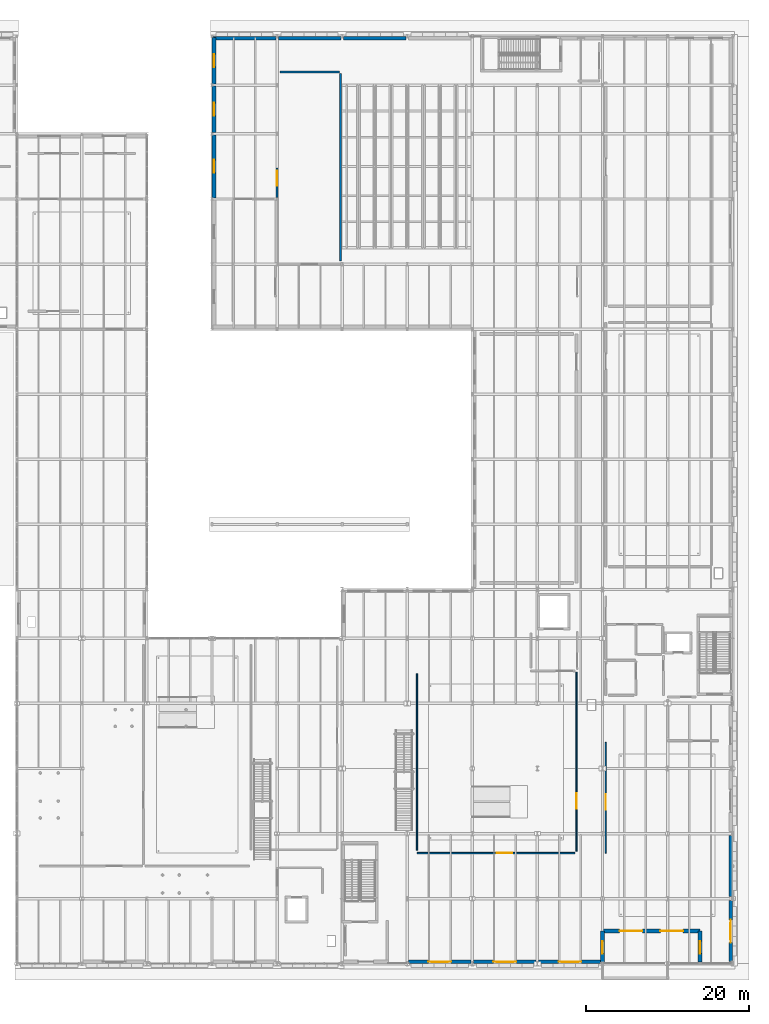
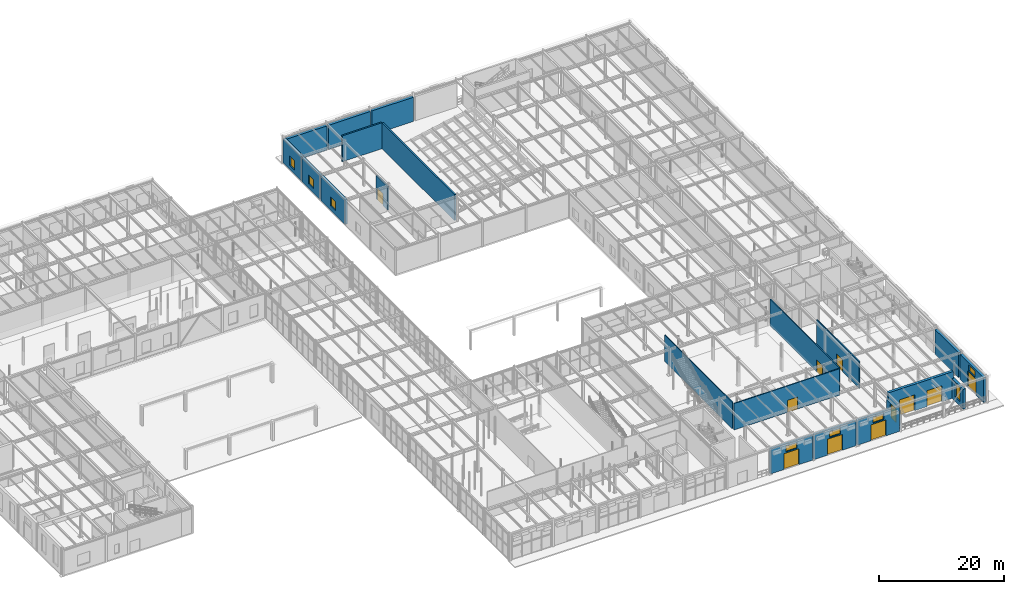
# One storey, part 84 of 129: 21 walls, 10 doors, 9 windows, 19 openings.
"""IFC4 building model written with IfcOpenShell, lengths in metres."""

from ifc_helpers import new_model, si_unit, direction, frame, frame_2d, origin, place, context, subcontext, project, spatial, rectangle, extrude, material, layer, layer_set, type_object, element, fill, save


model = new_model("IFC4")

# Units and contexts
model_context = context("Model", 3, precision=1e-05, world=origin(), true_north=direction((0.0, 1.0)))
body_context = subcontext(model_context, "Body", "Model", "MODEL_VIEW")
ifc_project = project(units=[si_unit("LENGTHUNIT", "METRE"), si_unit("AREAUNIT", "SQUARE_METRE"), si_unit("VOLUMEUNIT", "CUBIC_METRE"), si_unit("PLANEANGLEUNIT", "RADIAN"), si_unit("MASSUNIT", "GRAM", prefix="KILO")], contexts=[model_context])

# Site, building, storey
site_placement = place(None, origin())
site = spatial("IfcSite", under=ifc_project, at=site_placement, CompositionType="ELEMENT")
building_placement = place(site_placement, origin())
building = spatial("IfcBuilding", under=site, at=building_placement, Name="Sundkrona Museum", CompositionType="ELEMENT")
storey_placement = place(building_placement, origin())
storey = spatial("IfcBuildingStorey", under=building, at=storey_placement, Name="L00", CompositionType="ELEMENT", Elevation=0.0)

# Wall, opening, door
ifc_material_1 = material(Name="Acoustic Double-Leaf Brick Masonry 275 mm", Category="masonry")
ifc_layer_1 = layer(ifc_material_1, 0.27490234375)
ifc_layer_set_1 = layer_set([ifc_layer_1], Name="Acoustic Double-Leaf Brick Masonry 275 mm")
wall_type_1 = type_object("IfcWallType", Name="W-AUD-275", PredefinedType="SOLIDWALL", material=ifc_layer_set_1)
wall_1_placement = place(storey_placement, frame((112.0, 94.199951171875, 0.0), z_axis=(0.0, 0.0, 1.0), x_axis=(0.0, 1.0, 0.0)))
wall_1 = element("IfcWall", 1, at=wall_1_placement, inside=storey, type_object=wall_type_1, Name="L00 Partition North-West Gallery Corridor / Auditorium", PredefinedType="SOLIDWALL", context=body_context, shape_type="SweptSolid", body=[
    extrude(rectangle(XDim=3.60009765625, YDim=0.27490234375, at=frame_2d((1.800048828125, 0.0))), origin(), (0.0, 0.0, 1.0), 4.610107421875),
])
opening_1_placement = place(wall_1_placement, frame((1.39990234375, 0.0, 0.0)))
opening_1 = element("IfcOpeningElement", 2, at=opening_1_placement, cuts=wall_1, Name="Opening D-AUD-190", PredefinedType="OPENING", context=body_context, shape_type="SweptSolid", body=[
    extrude(rectangle(XDim=1.89990234375, YDim=2.35009765625, at=frame_2d((0.949951171875, 1.175048828125))), frame((0.0, 0.1474609375, 0.0), z_axis=(0.0, -1.0, 0.0), x_axis=(1.0, 0.0, 0.0)), (0.0, 0.0, 1.0), 0.294921875),
])
ifc_material_2 = material(Name="Acoustic Oak Fire Door", Category="other")
door_type_1 = type_object("IfcDoorType", Name="D-AUD-190", OperationType="DOUBLE_DOOR_SINGLE_SWING", PredefinedType="DOOR", material=ifc_material_2)
door_1_placement = place(opening_1_placement, origin())
door_1 = element("IfcDoor", 3, at=door_1_placement, inside=storey, type_object=door_type_1, Name="L00 Interior Door DR-ADJ-L00-0060", OperationType="DOUBLE_DOOR_SINGLE_SWING", OverallHeight=2.35009765625, OverallWidth=1.89990234375, PredefinedType="DOOR", context=body_context, shape_type="SweptSolid", body=[
    extrude(rectangle(XDim=1.89990234375, YDim=2.35009765625, at=frame_2d((0.949951171875, 1.175048828125))), frame((0.0, 0.02490234375, 0.0), z_axis=(0.0, -1.0, 0.0), x_axis=(1.0, 0.0, 0.0)), (0.0, 0.0, 1.0), 0.050048828125),
])
fill(opening_1, door_1)

# Walls
wall_2_placement = place(storey_placement, frame((112.35009765625, 109.60009765625, 0.0), z_axis=(0.0, 0.0, 1.0), x_axis=(1.0, 0.0, 0.0)))
element("IfcWall", 4, at=wall_2_placement, inside=storey, type_object=wall_type_1, Name="L00 Auditorium Enclosure Wall N", PredefinedType="SOLIDWALL", context=body_context, shape_type="SweptSolid", body=[
    extrude(rectangle(XDim=7.2998046875, YDim=0.27490234375, at=frame_2d((3.64990234375, 0.0))), origin(), (0.0, 0.0, 1.0), 5.050048828125),
])
wall_3_placement = place(storey_placement, frame((119.800048828125, 86.35009765625, 0.0), z_axis=(0.0, 0.0, 1.0), x_axis=(0.0, 1.0, 0.0)))
element("IfcWall", 5, at=wall_3_placement, inside=storey, type_object=wall_type_1, Name="L00 Auditorium Enclosure Wall E", PredefinedType="SOLIDWALL", context=body_context, shape_type="SweptSolid", body=[
    extrude(rectangle(XDim=23.099853515625, YDim=0.27490234375, at=frame_2d((11.5498046875, 0.0))), origin(), (0.0, 0.0, 1.0), 5.050048828125),
])

# Wall, opening, window
ifc_material_3 = material(Name="Danian Limestone Ashlar Masonry 480 mm", Category="masonry")
ifc_layer_2 = layer(ifc_material_3, 0.47998046875)
ifc_layer_set_2 = layer_set([ifc_layer_2], Name="Danian Limestone Ashlar Masonry 480 mm")
wall_type_2 = type_object("IfcWallType", Name="W-LIM-480", PredefinedType="SOLIDWALL", material=ifc_layer_set_2)
wall_4_placement = place(storey_placement, frame((152.0, 0.239990234375, 0.0), z_axis=(0.0, 0.0, 1.0), x_axis=(0.0, 1.0, 0.0)))
wall_4 = element("IfcWall", 6, at=wall_4_placement, inside=storey, type_object=wall_type_2, Name="South Entrance Recessed West Limestone Cheek Wall", PredefinedType="SOLIDWALL", context=body_context, shape_type="SweptSolid", body=[
    extrude(rectangle(XDim=3.760009765625, YDim=0.47998046875, at=frame_2d((1.8798828125, 0.0))), origin(), (0.0, 0.0, 1.0), 3.840087890625),
])
opening_2_placement = place(wall_4_placement, frame((1.0, 0.0, 0.89990234375)))
opening_2 = element("IfcOpeningElement", 7, at=opening_2_placement, cuts=wall_4, Name="Opening WN-OC-155x270", PredefinedType="OPENING", context=body_context, shape_type="SweptSolid", body=[
    extrude(rectangle(XDim=1.550048828125, YDim=2.699951171875, at=frame_2d((0.77490234375, 1.35009765625))), frame((0.0, 0.25, 0.0), z_axis=(0.0, -1.0, 0.0), x_axis=(1.0, 0.0, 0.0)), (0.0, 0.0, 1.0), 0.5),
])
ifc_material_4 = material(Name="Triple Low-E Argon Glazing in Bronze-Anodised Aluminium", Category="aluminium")
window_type_1 = type_object("IfcWindowType", Name="WN-OC-155x270", PartitioningType="SINGLE_PANEL", PredefinedType="WINDOW", material=ifc_material_4)
window_1_placement = place(opening_2_placement, origin())
window_1 = element("IfcWindow", 8, at=window_1_placement, inside=storey, type_object=window_type_1, Name="L00 Entrance bay side sidelight window 1550x2700 WIN-ENT-W1", OverallHeight=2.699951171875, OverallWidth=1.550048828125, PartitioningType="SINGLE_PANEL", PredefinedType="WINDOW", context=body_context, shape_type="SweptSolid", body=[
    extrude(rectangle(XDim=1.550048828125, YDim=2.699951171875, at=frame_2d((0.77490234375, 1.35009765625))), frame((0.0, 0.030029296875, 0.0), z_axis=(0.0, -1.0, 0.0), x_axis=(1.0, 0.0, 0.0)), (0.0, 0.0, 1.0), 0.06005859375),
])
fill(opening_2, window_1)

wall_5_placement = place(storey_placement, frame((164.0, 0.239990234375, 0.0), z_axis=(0.0, 0.0, 1.0), x_axis=(0.0, 1.0, 0.0)))
wall_5 = element("IfcWall", 9, at=wall_5_placement, inside=storey, type_object=wall_type_2, Name="South Entrance Recessed East Limestone Cheek Wall", PredefinedType="SOLIDWALL", context=body_context, shape_type="SweptSolid", body=[
    extrude(rectangle(XDim=3.760009765625, YDim=0.47998046875, at=frame_2d((1.8798828125, 0.0))), origin(), (0.0, 0.0, 1.0), 3.840087890625),
])
opening_3_placement = place(wall_5_placement, frame((1.0, 0.0, 0.89990234375)))
opening_3 = element("IfcOpeningElement", 10, at=opening_3_placement, cuts=wall_5, Name="Opening WN-OC-155x270", PredefinedType="OPENING", context=body_context, shape_type="SweptSolid", body=[
    extrude(rectangle(XDim=1.550048828125, YDim=2.699951171875, at=frame_2d((0.77490234375, 1.35009765625))), frame((0.0, 0.25, 0.0), z_axis=(0.0, -1.0, 0.0), x_axis=(1.0, 0.0, 0.0)), (0.0, 0.0, 1.0), 0.5),
])
window_2_placement = place(opening_3_placement, origin())
window_2 = element("IfcWindow", 11, at=window_2_placement, inside=storey, type_object=window_type_1, Name="L00 Entrance bay side sidelight window 1550x2700 WIN-ENT-E1", OverallHeight=2.699951171875, OverallWidth=1.550048828125, PartitioningType="SINGLE_PANEL", PredefinedType="WINDOW", context=body_context, shape_type="SweptSolid", body=[
    extrude(rectangle(XDim=1.550048828125, YDim=2.699951171875, at=frame_2d((0.77490234375, 1.35009765625))), frame((0.0, 0.030029296875, 0.0), z_axis=(0.0, -1.0, 0.0), x_axis=(1.0, 0.0, 0.0)), (0.0, 0.0, 1.0), 0.06005859375),
])
fill(opening_3, window_2)

# Wall, openings, doors
wall_6_placement = place(storey_placement, frame((164.0, 4.0, 0.0), z_axis=(0.0, 0.0, 1.0), x_axis=(-1.0, 0.0, 0.0)))
wall_6 = element("IfcWall", 12, at=wall_6_placement, inside=storey, type_object=wall_type_2, Name="South Avenue Main Limestone Entrance Portal Wall", PredefinedType="SOLIDWALL", context=body_context, shape_type="SweptSolid", body=[
    extrude(rectangle(XDim=12.0, YDim=0.47998046875, at=frame_2d((6.0, 0.0))), origin(), (0.0, 0.0, 1.0), 5.159912109375),
])
opening_4_placement = place(wall_6_placement, frame((2.10009765625, 0.0, 0.0)))
opening_4 = element("IfcOpeningElement", 13, at=opening_4_placement, cuts=wall_6, Name="Opening D-EX-280", PredefinedType="OPENING", context=body_context, shape_type="SweptSolid", body=[
    extrude(rectangle(XDim=2.800048828125, YDim=3.10009765625, at=frame_2d((1.39990234375, 1.550048828125))), frame((0.0, 0.25, 0.0), z_axis=(0.0, -1.0, 0.0), x_axis=(1.0, 0.0, 0.0)), (0.0, 0.0, 1.0), 0.5),
])
opening_5_placement = place(wall_6_placement, frame((7.10009765625, 0.0, 0.0)))
opening_5 = element("IfcOpeningElement", 14, at=opening_5_placement, cuts=wall_6, Name="Opening D-EX-280", PredefinedType="OPENING", context=body_context, shape_type="SweptSolid", body=[
    extrude(rectangle(XDim=2.800048828125, YDim=3.10009765625, at=frame_2d((1.39990234375, 1.550048828125))), frame((0.0, 0.25, 0.0), z_axis=(0.0, -1.0, 0.0), x_axis=(1.0, 0.0, 0.0)), (0.0, 0.0, 1.0), 0.5),
])
ifc_material_5 = material(Name="Bronze and Triple-Glazed Entrance Door", Category="other")
door_type_2 = type_object("IfcDoorType", Name="D-EX-280", OperationType="DOUBLE_DOOR_SINGLE_SWING", PredefinedType="DOOR", material=ifc_material_5)
door_2_placement = place(opening_4_placement, origin())
door_2 = element("IfcDoor", 15, at=door_2_placement, inside=storey, type_object=door_type_2, Name="Main Entrance Portal Double Door DR-FE-01", OperationType="DOUBLE_DOOR_SINGLE_SWING", OverallHeight=3.10009765625, OverallWidth=2.800048828125, PredefinedType="DOOR", context=body_context, shape_type="SweptSolid", body=[
    extrude(rectangle(XDim=2.800048828125, YDim=3.10009765625, at=frame_2d((1.39990234375, 1.550048828125))), frame((0.0, 0.02490234375, 0.0), z_axis=(0.0, -1.0, 0.0), x_axis=(1.0, 0.0, 0.0)), (0.0, 0.0, 1.0), 0.050048828125),
])
fill(opening_4, door_2)
door_3_placement = place(opening_5_placement, origin())
door_3 = element("IfcDoor", 16, at=door_3_placement, inside=storey, type_object=door_type_2, Name="Main Entrance Portal Double Door DR-FE-02", OperationType="DOUBLE_DOOR_SINGLE_SWING", OverallHeight=3.10009765625, OverallWidth=2.800048828125, PredefinedType="DOOR", context=body_context, shape_type="SweptSolid", body=[
    extrude(rectangle(XDim=2.800048828125, YDim=3.10009765625, at=frame_2d((1.39990234375, 1.550048828125))), frame((0.0, 0.02490234375, 0.0), z_axis=(0.0, -1.0, 0.0), x_axis=(1.0, 0.0, 0.0)), (0.0, 0.0, 1.0), 0.050048828125),
])
fill(opening_5, door_3)

# Wall, openings, door, window
wall_7_placement = place(storey_placement, frame((135.847900390625, 0.239990234375, 0.0), z_axis=(0.0, 0.0, 1.0), x_axis=(-1.0, 0.0, 0.0)))
wall_7 = element("IfcWall", 17, at=wall_7_placement, inside=storey, type_object=wall_type_2, Name="L00 Facade Wall 0001", PredefinedType="SOLIDWALL", context=body_context, shape_type="SweptSolid", body=[
    extrude(rectangle(XDim=7.69580078125, YDim=0.47998046875, at=frame_2d((3.847900390625, 0.0))), origin(), (0.0, 0.0, 1.0), 4.8349609375),
])
opening_6_placement = place(wall_7_placement, frame((2.447998046875, 0.0, 0.0)))
opening_6 = element("IfcOpeningElement", 18, at=opening_6_placement, cuts=wall_7, Name="Opening D-EX-280", PredefinedType="OPENING", context=body_context, shape_type="SweptSolid", body=[
    extrude(rectangle(XDim=2.800048828125, YDim=3.10009765625, at=frame_2d((1.39990234375, 1.550048828125))), frame((0.0, 0.25, 0.0), z_axis=(0.0, -1.0, 0.0), x_axis=(1.0, 0.0, 0.0)), (0.0, 0.0, 1.0), 0.5),
])
opening_7_placement = place(wall_7_placement, frame((2.847900390625, 0.0, 3.320068359375)))
opening_7 = element("IfcOpeningElement", 19, at=opening_7_placement, cuts=wall_7, Name="Opening WN-CL-200x110", PredefinedType="OPENING", context=body_context, shape_type="SweptSolid", body=[
    extrude(rectangle(XDim=2.0, YDim=1.10009765625, at=frame_2d((1.0, 0.550048828125))), frame((0.0, 0.25, 0.0), z_axis=(0.0, -1.0, 0.0), x_axis=(1.0, 0.0, 0.0)), (0.0, 0.0, 1.0), 0.5),
])
door_4_placement = place(opening_6_placement, origin())
door_4 = element("IfcDoor", 20, at=door_4_placement, inside=storey, type_object=door_type_2, Name="L00 Exterior Door D-EX-280 DR-FE-V1S-128", OperationType="DOUBLE_DOOR_SINGLE_SWING", OverallHeight=3.10009765625, OverallWidth=2.800048828125, PredefinedType="DOOR", context=body_context, shape_type="SweptSolid", body=[
    extrude(rectangle(XDim=2.800048828125, YDim=3.10009765625, at=frame_2d((1.39990234375, 1.550048828125))), frame((0.0, 0.02490234375, 0.0), z_axis=(0.0, -1.0, 0.0), x_axis=(1.0, 0.0, 0.0)), (0.0, 0.0, 1.0), 0.050048828125),
])
fill(opening_6, door_4)
window_type_2 = type_object("IfcWindowType", Name="WN-CL-200x110", PartitioningType="DOUBLE_PANEL_HORIZONTAL", PredefinedType="WINDOW", material=ifc_material_4)
window_3_placement = place(opening_7_placement, origin())
window_3 = element("IfcWindow", 21, at=window_3_placement, inside=storey, type_object=window_type_2, Name="L00 Archive foyer clerestory window 2000x1100 WIN-L00-0001", OverallHeight=1.10009765625, OverallWidth=2.0, PartitioningType="DOUBLE_PANEL_HORIZONTAL", PredefinedType="WINDOW", context=body_context, shape_type="SweptSolid", body=[
    extrude(rectangle(XDim=2.0, YDim=1.10009765625, at=frame_2d((1.0, 0.550048828125))), frame((0.0, 0.030029296875, 0.0), z_axis=(0.0, -1.0, 0.0), x_axis=(1.0, 0.0, 0.0)), (0.0, 0.0, 1.0), 0.06005859375),
])
fill(opening_7, window_3)

wall_8_placement = place(storey_placement, frame((143.847900390625, 0.239990234375, 0.0), z_axis=(0.0, 0.0, 1.0), x_axis=(-1.0, 0.0, 0.0)))
wall_8 = element("IfcWall", 22, at=wall_8_placement, inside=storey, type_object=wall_type_2, Name="L00 Facade Wall 0002", PredefinedType="SOLIDWALL", context=body_context, shape_type="SweptSolid", body=[
    extrude(rectangle(XDim=7.69580078125, YDim=0.47998046875, at=frame_2d((3.847900390625, 0.0))), origin(), (0.0, 0.0, 1.0), 4.8349609375),
])
opening_8_placement = place(wall_8_placement, frame((2.447998046875, 0.0, 0.0)))
opening_8 = element("IfcOpeningElement", 23, at=opening_8_placement, cuts=wall_8, Name="Opening D-EX-280", PredefinedType="OPENING", context=body_context, shape_type="SweptSolid", body=[
    extrude(rectangle(XDim=2.800048828125, YDim=3.10009765625, at=frame_2d((1.39990234375, 1.550048828125))), frame((0.0, 0.25, 0.0), z_axis=(0.0, -1.0, 0.0), x_axis=(1.0, 0.0, 0.0)), (0.0, 0.0, 1.0), 0.5),
])
opening_9_placement = place(wall_8_placement, frame((2.847900390625, 0.0, 3.320068359375)))
opening_9 = element("IfcOpeningElement", 24, at=opening_9_placement, cuts=wall_8, Name="Opening WN-CL-200x110", PredefinedType="OPENING", context=body_context, shape_type="SweptSolid", body=[
    extrude(rectangle(XDim=2.0, YDim=1.10009765625, at=frame_2d((1.0, 0.550048828125))), frame((0.0, 0.25, 0.0), z_axis=(0.0, -1.0, 0.0), x_axis=(1.0, 0.0, 0.0)), (0.0, 0.0, 1.0), 0.5),
])
door_5_placement = place(opening_8_placement, origin())
door_5 = element("IfcDoor", 25, at=door_5_placement, inside=storey, type_object=door_type_2, Name="L00 Exterior Door D-EX-280 DR-FE-V1S-136", OperationType="DOUBLE_DOOR_SINGLE_SWING", OverallHeight=3.10009765625, OverallWidth=2.800048828125, PredefinedType="DOOR", context=body_context, shape_type="SweptSolid", body=[
    extrude(rectangle(XDim=2.800048828125, YDim=3.10009765625, at=frame_2d((1.39990234375, 1.550048828125))), frame((0.0, 0.02490234375, 0.0), z_axis=(0.0, -1.0, 0.0), x_axis=(1.0, 0.0, 0.0)), (0.0, 0.0, 1.0), 0.050048828125),
])
fill(opening_8, door_5)
window_4_placement = place(opening_9_placement, origin())
window_4 = element("IfcWindow", 26, at=window_4_placement, inside=storey, type_object=window_type_2, Name="L00 Archive foyer clerestory window 2000x1100 WIN-L00-0002", OverallHeight=1.10009765625, OverallWidth=2.0, PartitioningType="DOUBLE_PANEL_HORIZONTAL", PredefinedType="WINDOW", context=body_context, shape_type="SweptSolid", body=[
    extrude(rectangle(XDim=2.0, YDim=1.10009765625, at=frame_2d((1.0, 0.550048828125))), frame((0.0, 0.030029296875, 0.0), z_axis=(0.0, -1.0, 0.0), x_axis=(1.0, 0.0, 0.0)), (0.0, 0.0, 1.0), 0.06005859375),
])
fill(opening_9, window_4)

wall_9_placement = place(storey_placement, frame((151.847900390625, 0.239990234375, 0.0), z_axis=(0.0, 0.0, 1.0), x_axis=(-1.0, 0.0, 0.0)))
wall_9 = element("IfcWall", 27, at=wall_9_placement, inside=storey, type_object=wall_type_2, Name="L00 Facade Wall 0003", PredefinedType="SOLIDWALL", context=body_context, shape_type="SweptSolid", body=[
    extrude(rectangle(XDim=7.69580078125, YDim=0.47998046875, at=frame_2d((3.847900390625, 0.0))), origin(), (0.0, 0.0, 1.0), 4.8349609375),
])
opening_10_placement = place(wall_9_placement, frame((2.447998046875, 0.0, 0.0)))
opening_10 = element("IfcOpeningElement", 28, at=opening_10_placement, cuts=wall_9, Name="Opening D-EX-280", PredefinedType="OPENING", context=body_context, shape_type="SweptSolid", body=[
    extrude(rectangle(XDim=2.800048828125, YDim=3.10009765625, at=frame_2d((1.39990234375, 1.550048828125))), frame((0.0, 0.25, 0.0), z_axis=(0.0, -1.0, 0.0), x_axis=(1.0, 0.0, 0.0)), (0.0, 0.0, 1.0), 0.5),
])
opening_11_placement = place(wall_9_placement, frame((2.847900390625, 0.0, 3.320068359375)))
opening_11 = element("IfcOpeningElement", 29, at=opening_11_placement, cuts=wall_9, Name="Opening WN-CL-200x110", PredefinedType="OPENING", context=body_context, shape_type="SweptSolid", body=[
    extrude(rectangle(XDim=2.0, YDim=1.10009765625, at=frame_2d((1.0, 0.550048828125))), frame((0.0, 0.25, 0.0), z_axis=(0.0, -1.0, 0.0), x_axis=(1.0, 0.0, 0.0)), (0.0, 0.0, 1.0), 0.5),
])
door_6_placement = place(opening_10_placement, origin())
door_6 = element("IfcDoor", 30, at=door_6_placement, inside=storey, type_object=door_type_2, Name="L00 Exterior Door D-EX-280 DR-FE-V1S-144", OperationType="DOUBLE_DOOR_SINGLE_SWING", OverallHeight=3.10009765625, OverallWidth=2.800048828125, PredefinedType="DOOR", context=body_context, shape_type="SweptSolid", body=[
    extrude(rectangle(XDim=2.800048828125, YDim=3.10009765625, at=frame_2d((1.39990234375, 1.550048828125))), frame((0.0, 0.02490234375, 0.0), z_axis=(0.0, -1.0, 0.0), x_axis=(1.0, 0.0, 0.0)), (0.0, 0.0, 1.0), 0.050048828125),
])
fill(opening_10, door_6)
window_5_placement = place(opening_11_placement, origin())
window_5 = element("IfcWindow", 31, at=window_5_placement, inside=storey, type_object=window_type_2, Name="L00 Archive foyer clerestory window 2000x1100 WIN-L00-0003", OverallHeight=1.10009765625, OverallWidth=2.0, PartitioningType="DOUBLE_PANEL_HORIZONTAL", PredefinedType="WINDOW", context=body_context, shape_type="SweptSolid", body=[
    extrude(rectangle(XDim=2.0, YDim=1.10009765625, at=frame_2d((1.0, 0.550048828125))), frame((0.0, 0.030029296875, 0.0), z_axis=(0.0, -1.0, 0.0), x_axis=(1.0, 0.0, 0.0)), (0.0, 0.0, 1.0), 0.06005859375),
])
fill(opening_11, window_5)

wall_10_placement = place(storey_placement, frame((167.760009765625, 7.748046875, 0.0), z_axis=(0.0, 0.0, 1.0), x_axis=(0.0, -1.0, 0.0)))
wall_10 = element("IfcWall", 32, at=wall_10_placement, inside=storey, type_object=wall_type_2, Name="L00 Facade Wall 0004", PredefinedType="SOLIDWALL", context=body_context, shape_type="SweptSolid", body=[
    extrude(rectangle(XDim=7.49609375, YDim=0.47998046875, at=frame_2d((3.748046875, 0.0))), origin(), (0.0, 0.0, 1.0), 4.8349609375),
])
opening_12_placement = place(wall_10_placement, frame((2.347900390625, 0.0, 0.0)))
opening_12 = element("IfcOpeningElement", 33, at=opening_12_placement, cuts=wall_10, Name="Opening D-EX-280", PredefinedType="OPENING", context=body_context, shape_type="SweptSolid", body=[
    extrude(rectangle(XDim=2.800048828125, YDim=3.10009765625, at=frame_2d((1.39990234375, 1.550048828125))), frame((0.0, 0.25, 0.0), z_axis=(0.0, -1.0, 0.0), x_axis=(1.0, 0.0, 0.0)), (0.0, 0.0, 1.0), 0.5),
])
opening_13_placement = place(wall_10_placement, frame((2.748046875, 0.0, 3.320068359375)))
opening_13 = element("IfcOpeningElement", 34, at=opening_13_placement, cuts=wall_10, Name="Opening WN-CL-200x110", PredefinedType="OPENING", context=body_context, shape_type="SweptSolid", body=[
    extrude(rectangle(XDim=2.0, YDim=1.10009765625, at=frame_2d((1.0, 0.550048828125))), frame((0.0, 0.25, 0.0), z_axis=(0.0, -1.0, 0.0), x_axis=(1.0, 0.0, 0.0)), (0.0, 0.0, 1.0), 0.5),
])
door_7_placement = place(opening_12_placement, origin())
door_7 = element("IfcDoor", 35, at=door_7_placement, inside=storey, type_object=door_type_2, Name="L00 Exterior Door D-EX-280 DR-FE-V1E-0", OperationType="DOUBLE_DOOR_SINGLE_SWING", OverallHeight=3.10009765625, OverallWidth=2.800048828125, PredefinedType="DOOR", context=body_context, shape_type="SweptSolid", body=[
    extrude(rectangle(XDim=2.800048828125, YDim=3.10009765625, at=frame_2d((1.39990234375, 1.550048828125))), frame((0.0, 0.02490234375, 0.0), z_axis=(0.0, -1.0, 0.0), x_axis=(1.0, 0.0, 0.0)), (0.0, 0.0, 1.0), 0.050048828125),
])
fill(opening_12, door_7)
window_6_placement = place(opening_13_placement, origin())
window_6 = element("IfcWindow", 36, at=window_6_placement, inside=storey, type_object=window_type_2, Name="L00 Archive foyer clerestory window 2000x1100 WIN-L00-0004", OverallHeight=1.10009765625, OverallWidth=2.0, PartitioningType="DOUBLE_PANEL_HORIZONTAL", PredefinedType="WINDOW", context=body_context, shape_type="SweptSolid", body=[
    extrude(rectangle(XDim=2.0, YDim=1.10009765625, at=frame_2d((1.0, 0.550048828125))), frame((0.0, 0.030029296875, 0.0), z_axis=(0.0, -1.0, 0.0), x_axis=(1.0, 0.0, 0.0)), (0.0, 0.0, 1.0), 0.06005859375),
])
fill(opening_13, window_6)

# Wall
wall_11_placement = place(storey_placement, frame((167.760009765625, 15.748046875, 0.0), z_axis=(0.0, 0.0, 1.0), x_axis=(0.0, -1.0, 0.0)))
element("IfcWall", 37, at=wall_11_placement, inside=storey, type_object=wall_type_2, Name="L00 Facade Wall 0005", PredefinedType="SOLIDWALL", context=body_context, shape_type="SweptSolid", body=[
    extrude(rectangle(XDim=7.49609375, YDim=0.47998046875, at=frame_2d((3.748046875, 0.0))), origin(), (0.0, 0.0, 1.0), 4.8349609375),
])

# Wall, opening, window
wall_12_placement = place(storey_placement, frame((104.239990234375, 94.14208984375, 0.0), z_axis=(0.0, 0.0, 1.0), x_axis=(0.0, 1.0, 0.0)))
wall_12 = element("IfcWall", 38, at=wall_12_placement, inside=storey, type_object=wall_type_2, Name="L00 Facade Wall 0267", PredefinedType="SOLIDWALL", context=body_context, shape_type="SweptSolid", body=[
    extrude(rectangle(XDim=7.7158203125, YDim=0.47998046875, at=frame_2d((3.85791015625, 0.0))), origin(), (0.0, 0.0, 1.0), 4.72509765625),
])
opening_14_placement = place(wall_12_placement, frame((3.05810546875, 0.0, 0.85009765625)))
opening_14 = element("IfcOpeningElement", 39, at=opening_14_placement, cuts=wall_12, Name="Opening WN-LB-160x180", PredefinedType="OPENING", context=body_context, shape_type="SweptSolid", body=[
    extrude(rectangle(XDim=1.60009765625, YDim=1.800048828125, at=frame_2d((0.800048828125, 0.89990234375))), frame((0.0, 0.25, 0.0), z_axis=(0.0, -1.0, 0.0), x_axis=(1.0, 0.0, 0.0)), (0.0, 0.0, 1.0), 0.5),
])
window_type_3 = type_object("IfcWindowType", Name="WN-LB-160x180", PartitioningType="DOUBLE_PANEL_VERTICAL", PredefinedType="WINDOW", material=ifc_material_4)
window_7_placement = place(opening_14_placement, origin())
window_7 = element("IfcWindow", 40, at=window_7_placement, inside=storey, type_object=window_type_3, Name="L00 Conservation laboratory deep-reveal window 1600x1800 WIN-L00-0372", OverallHeight=1.800048828125, OverallWidth=1.60009765625, PartitioningType="DOUBLE_PANEL_VERTICAL", PredefinedType="WINDOW", context=body_context, shape_type="SweptSolid", body=[
    extrude(rectangle(XDim=1.60009765625, YDim=1.800048828125, at=frame_2d((0.800048828125, 0.89990234375))), frame((0.0, 0.030029296875, 0.0), z_axis=(0.0, -1.0, 0.0), x_axis=(1.0, 0.0, 0.0)), (0.0, 0.0, 1.0), 0.06005859375),
])
fill(opening_14, window_7)

wall_13_placement = place(storey_placement, frame((104.239990234375, 102.14208984375, 0.0), z_axis=(0.0, 0.0, 1.0), x_axis=(0.0, 1.0, 0.0)))
wall_13 = element("IfcWall", 41, at=wall_13_placement, inside=storey, type_object=wall_type_2, Name="L00 Facade Wall 0268", PredefinedType="SOLIDWALL", context=body_context, shape_type="SweptSolid", body=[
    extrude(rectangle(XDim=5.7158203125, YDim=0.47998046875, at=frame_2d((2.85791015625, 0.0))), origin(), (0.0, 0.0, 1.0), 4.72509765625),
])
opening_15_placement = place(wall_13_placement, frame((2.05810546875, 0.0, 0.85009765625)))
opening_15 = element("IfcOpeningElement", 42, at=opening_15_placement, cuts=wall_13, Name="Opening WN-LB-160x180", PredefinedType="OPENING", context=body_context, shape_type="SweptSolid", body=[
    extrude(rectangle(XDim=1.60009765625, YDim=1.800048828125, at=frame_2d((0.800048828125, 0.89990234375))), frame((0.0, 0.25, 0.0), z_axis=(0.0, -1.0, 0.0), x_axis=(1.0, 0.0, 0.0)), (0.0, 0.0, 1.0), 0.5),
])
window_8_placement = place(opening_15_placement, origin())
window_8 = element("IfcWindow", 43, at=window_8_placement, inside=storey, type_object=window_type_3, Name="L00 Conservation laboratory deep-reveal window 1600x1800 WIN-L00-0373", OverallHeight=1.800048828125, OverallWidth=1.60009765625, PartitioningType="DOUBLE_PANEL_VERTICAL", PredefinedType="WINDOW", context=body_context, shape_type="SweptSolid", body=[
    extrude(rectangle(XDim=1.60009765625, YDim=1.800048828125, at=frame_2d((0.800048828125, 0.89990234375))), frame((0.0, 0.030029296875, 0.0), z_axis=(0.0, -1.0, 0.0), x_axis=(1.0, 0.0, 0.0)), (0.0, 0.0, 1.0), 0.06005859375),
])
fill(opening_15, window_8)

wall_14_placement = place(storey_placement, frame((104.239990234375, 108.14208984375, 0.0), z_axis=(0.0, 0.0, 1.0), x_axis=(0.0, 1.0, 0.0)))
wall_14 = element("IfcWall", 44, at=wall_14_placement, inside=storey, type_object=wall_type_2, Name="L00 Facade Wall 0269", PredefinedType="SOLIDWALL", context=body_context, shape_type="SweptSolid", body=[
    extrude(rectangle(XDim=5.7158203125, YDim=0.47998046875, at=frame_2d((2.85791015625, 0.0))), origin(), (0.0, 0.0, 1.0), 4.72509765625),
])
opening_16_placement = place(wall_14_placement, frame((2.05810546875, 0.0, 0.85009765625)))
opening_16 = element("IfcOpeningElement", 45, at=opening_16_placement, cuts=wall_14, Name="Opening WN-LB-160x180", PredefinedType="OPENING", context=body_context, shape_type="SweptSolid", body=[
    extrude(rectangle(XDim=1.60009765625, YDim=1.800048828125, at=frame_2d((0.800048828125, 0.89990234375))), frame((0.0, 0.25, 0.0), z_axis=(0.0, -1.0, 0.0), x_axis=(1.0, 0.0, 0.0)), (0.0, 0.0, 1.0), 0.5),
])
window_9_placement = place(opening_16_placement, origin())
window_9 = element("IfcWindow", 46, at=window_9_placement, inside=storey, type_object=window_type_3, Name="L00 Conservation laboratory deep-reveal window 1600x1800 WIN-L00-0374", OverallHeight=1.800048828125, OverallWidth=1.60009765625, PartitioningType="DOUBLE_PANEL_VERTICAL", PredefinedType="WINDOW", context=body_context, shape_type="SweptSolid", body=[
    extrude(rectangle(XDim=1.60009765625, YDim=1.800048828125, at=frame_2d((0.800048828125, 0.89990234375))), frame((0.0, 0.030029296875, 0.0), z_axis=(0.0, -1.0, 0.0), x_axis=(1.0, 0.0, 0.0)), (0.0, 0.0, 1.0), 0.06005859375),
])
fill(opening_16, window_9)

# Walls
wall_15_placement = place(storey_placement, frame((104.14208984375, 113.760009765625, 0.0), z_axis=(0.0, 0.0, 1.0), x_axis=(1.0, 0.0, 0.0)))
element("IfcWall", 47, at=wall_15_placement, inside=storey, type_object=wall_type_2, Name="L00 Facade Wall 0324", PredefinedType="SOLIDWALL", context=body_context, shape_type="SweptSolid", body=[
    extrude(rectangle(XDim=7.705810546875, YDim=0.47998046875, at=frame_2d((3.85302734375, 0.0))), origin(), (0.0, 0.0, 1.0), 4.72509765625),
])
for number, where, z_axis, x_axis, name in (
    (48, (112.152099609375, 113.760009765625, 0.0), (0.0, 0.0, 1.0), (1.0, 0.0, 0.0), "L00 Facade Wall 0325"),
    (49, (120.152099609375, 113.760009765625, 0.0), (0.0, 0.0, 1.0), (1.0, 0.0, 0.0), "L00 Facade Wall 0326"),
):
    element("IfcWall", number, at=place(storey_placement, frame(where, z_axis=z_axis, x_axis=x_axis)), inside=storey, type_object=wall_type_2, Name=name, PredefinedType="SOLIDWALL", context=body_context, shape_type="SweptSolid", body=[
        extrude(rectangle(XDim=7.69580078125, YDim=0.47998046875, at=frame_2d((3.847900390625, 0.0))), origin(), (0.0, 0.0, 1.0), 4.72509765625),
    ])
ifc_material_6 = material(Name="Acoustic Gypsum Partition Board 150 mm", Category="other")
ifc_layer_3 = layer(ifc_material_6, 0.14990234375)
ifc_layer_set_3 = layer_set([ifc_layer_3], Name="Acoustic Gypsum Partition Board 150 mm")
wall_type_3 = type_object("IfcWallType", Name="W-PT-150", PredefinedType="PARTITIONING", material=ifc_layer_set_3)
wall_16_placement = place(storey_placement, frame((129.199951171875, 13.949951171875, 0.0), z_axis=(0.0, 0.0, 1.0), x_axis=(0.0, 1.0, 0.0)))
element("IfcWall", 50, at=wall_16_placement, inside=storey, type_object=wall_type_3, Name="L00 Natural History Gallery Enclosure Wall W", PredefinedType="PARTITIONING", context=body_context, shape_type="SweptSolid", body=[
    extrude(rectangle(XDim=21.699951171875, YDim=0.14990234375, at=frame_2d((10.85009765625, 0.0))), origin(), (0.0, 0.0, 1.0), 5.159912109375),
])

# Wall, opening, door
ifc_material_7 = material(Name="Fire-rated Gypsum Partition Board 175 mm", Category="other")
ifc_layer_4 = layer(ifc_material_7, 0.175048828125)
ifc_layer_set_4 = layer_set([ifc_layer_4], Name="Fire-rated Gypsum Partition Board 175 mm")
wall_type_4 = type_object("IfcWallType", Name="W-PT-175", PredefinedType="PARTITIONING", material=ifc_layer_set_4)
wall_17_placement = place(storey_placement, frame((129.199951171875, 13.60009765625, 0.0), z_axis=(0.0, 0.0, 1.0), x_axis=(1.0, 0.0, 0.0)))
wall_17 = element("IfcWall", 51, at=wall_17_placement, inside=storey, type_object=wall_type_4, Name="L00 Partition Grand Entrance Foyer / Natural History Gallery", PredefinedType="PARTITIONING", context=body_context, shape_type="SweptSolid", body=[
    extrude(rectangle(XDim=19.400146484375, YDim=0.175048828125, at=frame_2d((9.7001953125, 0.0))), origin(), (0.0, 0.0, 1.0), 5.159912109375),
])
opening_17_placement = place(wall_17_placement, frame((9.806396484375, 0.0, 0.0)))
opening_17 = element("IfcOpeningElement", 52, at=opening_17_placement, cuts=wall_17, Name="Opening D-AUD-190", PredefinedType="OPENING", context=body_context, shape_type="SweptSolid", body=[
    extrude(rectangle(XDim=1.89990234375, YDim=2.35009765625, at=frame_2d((0.949951171875, 1.175048828125))), frame((0.0, 0.097412109375, 0.0), z_axis=(0.0, -1.0, 0.0), x_axis=(1.0, 0.0, 0.0)), (0.0, 0.0, 1.0), 0.195068359375),
])
door_8_placement = place(opening_17_placement, origin())
door_8 = element("IfcDoor", 53, at=door_8_placement, inside=storey, type_object=door_type_1, Name="L00 Interior Door DR-ADJ-L00-0045", OperationType="DOUBLE_DOOR_SINGLE_SWING", OverallHeight=2.35009765625, OverallWidth=1.89990234375, PredefinedType="DOOR", context=body_context, shape_type="SweptSolid", body=[
    extrude(rectangle(XDim=1.89990234375, YDim=2.35009765625, at=frame_2d((0.949951171875, 1.175048828125))), frame((0.0, 0.02490234375, 0.0), z_axis=(0.0, -1.0, 0.0), x_axis=(1.0, 0.0, 0.0)), (0.0, 0.0, 1.0), 0.050048828125),
])
fill(opening_17, door_8)

wall_18_placement = place(storey_placement, frame((148.800048828125, 13.800048828125, 0.0), z_axis=(0.0, 0.0, 1.0), x_axis=(0.0, 1.0, 0.0)))
wall_18 = element("IfcWall", 54, at=wall_18_placement, inside=storey, type_object=wall_type_4, Name="L00 Partition East Logistics Corridor / Natural History Gallery", PredefinedType="PARTITIONING", context=body_context, shape_type="SweptSolid", body=[
    extrude(rectangle(XDim=22.0, YDim=0.175048828125, at=frame_2d((11.0, 0.0))), origin(), (0.0, 0.0, 1.0), 5.159912109375),
])
opening_18_placement = place(wall_18_placement, frame((5.263671875, 0.0, 0.0)))
opening_18 = element("IfcOpeningElement", 55, at=opening_18_placement, cuts=wall_18, Name="Opening D-AUD-190", PredefinedType="OPENING", context=body_context, shape_type="SweptSolid", body=[
    extrude(rectangle(XDim=1.89990234375, YDim=2.35009765625, at=frame_2d((0.949951171875, 1.175048828125))), frame((0.0, 0.097412109375, 0.0), z_axis=(0.0, -1.0, 0.0), x_axis=(1.0, 0.0, 0.0)), (0.0, 0.0, 1.0), 0.195068359375),
])
door_9_placement = place(opening_18_placement, origin())
door_9 = element("IfcDoor", 56, at=door_9_placement, inside=storey, type_object=door_type_1, Name="L00 Interior Door DR-ADJ-L00-0047", OperationType="DOUBLE_DOOR_SINGLE_SWING", OverallHeight=2.35009765625, OverallWidth=1.89990234375, PredefinedType="DOOR", context=body_context, shape_type="SweptSolid", body=[
    extrude(rectangle(XDim=1.89990234375, YDim=2.35009765625, at=frame_2d((0.949951171875, 1.175048828125))), frame((0.0, 0.02490234375, 0.0), z_axis=(0.0, -1.0, 0.0), x_axis=(1.0, 0.0, 0.0)), (0.0, 0.0, 1.0), 0.050048828125),
])
fill(opening_18, door_9)

wall_19_placement = place(storey_placement, frame((152.39990234375, 13.60009765625, 0.0), z_axis=(0.0, 0.0, 1.0), x_axis=(0.0, 1.0, 0.0)))
wall_19 = element("IfcWall", 57, at=wall_19_placement, inside=storey, type_object=wall_type_4, Name="L00 Partition East Logistics Corridor / Earth Sciences Exhibition Hall", PredefinedType="PARTITIONING", context=body_context, shape_type="SweptSolid", body=[
    extrude(rectangle(XDim=13.599853515625, YDim=0.175048828125, at=frame_2d((6.7998046875, 0.0))), origin(), (0.0, 0.0, 1.0), 5.159912109375),
])
opening_19_placement = place(wall_19_placement, frame((5.31298828125, 0.0, 0.0)))
opening_19 = element("IfcOpeningElement", 58, at=opening_19_placement, cuts=wall_19, Name="Opening D-AUD-190", PredefinedType="OPENING", context=body_context, shape_type="SweptSolid", body=[
    extrude(rectangle(XDim=1.89990234375, YDim=2.35009765625, at=frame_2d((0.949951171875, 1.175048828125))), frame((0.0, 0.097412109375, 0.0), z_axis=(0.0, -1.0, 0.0), x_axis=(1.0, 0.0, 0.0)), (0.0, 0.0, 1.0), 0.195068359375),
])
door_10_placement = place(opening_19_placement, origin())
door_10 = element("IfcDoor", 59, at=door_10_placement, inside=storey, type_object=door_type_1, Name="L00 Interior Door DR-ADJ-L00-0048", OperationType="DOUBLE_DOOR_SINGLE_SWING", OverallHeight=2.35009765625, OverallWidth=1.89990234375, PredefinedType="DOOR", context=body_context, shape_type="SweptSolid", body=[
    extrude(rectangle(XDim=1.89990234375, YDim=2.35009765625, at=frame_2d((0.949951171875, 1.175048828125))), frame((0.0, 0.02490234375, 0.0), z_axis=(0.0, -1.0, 0.0), x_axis=(1.0, 0.0, 0.0)), (0.0, 0.0, 1.0), 0.050048828125),
])
fill(opening_19, door_10)

save(model, "model.ifc")
